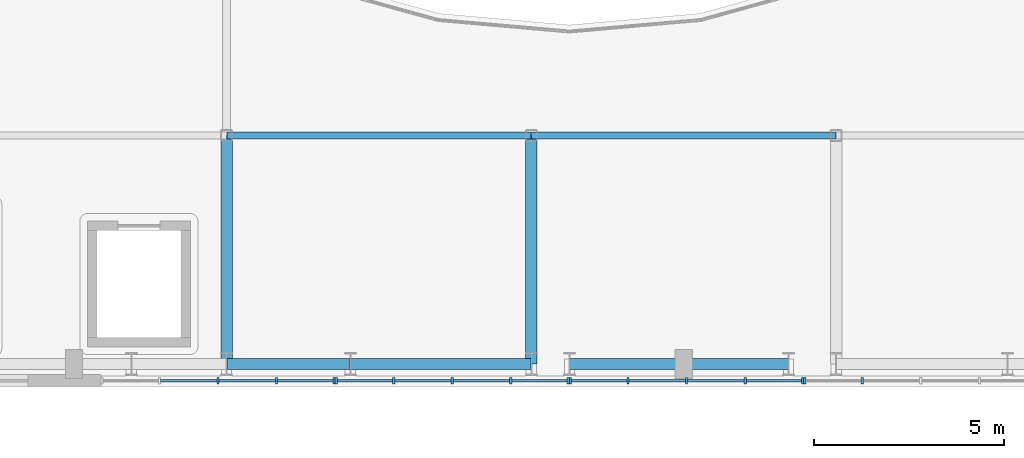
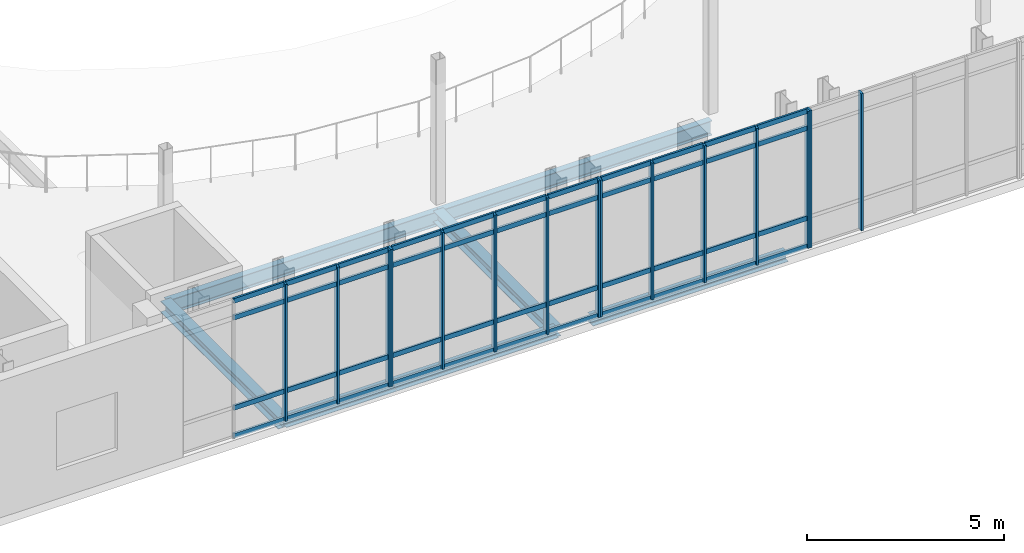
# One storey, part 25 of 100: 59 members, 7 beams, 4 elements without a shape of their own.
"""IFC4 building model written with IfcOpenShell, lengths in metres."""

from ifc_helpers import new_model, si_unit, direction, frame, origin, origin_2d, place, context, subcontext, project, spatial, rectangle, i_section, extrude, material, material_profile, profile_set, type_object, element, aggregate, save


model = new_model("IFC4")

# Units and contexts
model_context = context("Model", 3, precision=1e-05, world=origin(), true_north=direction((0.0, 1.0)))
body_context = subcontext(model_context, "Body", "Model", "MODEL_VIEW")
ifc_project = project(units=[si_unit("LENGTHUNIT", "METRE"), si_unit("AREAUNIT", "SQUARE_METRE"), si_unit("VOLUMEUNIT", "CUBIC_METRE"), si_unit("PLANEANGLEUNIT", "RADIAN"), si_unit("MASSUNIT", "GRAM", prefix="KILO")], contexts=[model_context])

# Site, building, storey
site_placement = place(None, origin())
site = spatial("IfcSite", under=ifc_project, at=site_placement, CompositionType="ELEMENT")
building_placement = place(site_placement, origin())
building = spatial("IfcBuilding", under=site, at=building_placement, Name="Cymarion Research Institute", CompositionType="ELEMENT")
storey_placement = place(building_placement, frame((0.0, 0.0, 4.800048828125)))
storey = spatial("IfcBuildingStorey", under=building, at=storey_placement, Name="L01", CompositionType="ELEMENT", Elevation=4.800048828125)

# Curtain wall, members
ifc_material_1 = material(Name="Anodised aluminium unitised curtain wall with Low-E glazing", Category="aluminium")
curtain_wall_type = type_object("IfcCurtainWallType", Name="UNITISED CURTAIN WALL CW07 6150X4250", PredefinedType="NOTDEFINED", material=ifc_material_1)
curtain_wall_1_placement = place(storey_placement, origin())
curtain_wall_1 = element("IfcCurtainWall", 1, at=curtain_wall_1_placement, inside=storey, type_object=curtain_wall_type, Name="L01 V2 unitised curtain wall CW07 #13", PredefinedType="NOTDEFINED")
ifc_material_2 = material(Name="Anodised aluminium framing", Category="aluminium")
ifc_material_profile_1 = material_profile(ifc_material_2, rectangle(XDim=0.06005859375, YDim=0.179931640625, at=origin_2d()), Name="ALU MULLION 60x180")
ifc_profile_set_1 = profile_set([ifc_material_profile_1], Name="Anodised aluminium framing")
member_type_1 = type_object("IfcMemberType", Name="CURTAIN WALL MULLION ML01 60X180", PredefinedType="MULLION", material=ifc_profile_set_1)
member_1_placement = place(storey_placement, frame((70.375732421875, 5.06005859375, 0.0), z_axis=(0.0, 0.0, 1.0), x_axis=(1.0, 0.0, 0.0)))
member_1 = element("IfcMember", 2, at=member_1_placement, type_object=member_type_1, Name="CW07 mullion 3", PredefinedType="MULLION", context=body_context, shape_type="SweptSolid", body=[
    extrude(rectangle(XDim=0.06005859375, YDim=0.179931640625, at=origin_2d()), origin(), (0.0, 0.0, 1.0), 4.25),
])
member_2_placement = place(storey_placement, frame((71.9130859375, 5.06005859375, 0.0), z_axis=(0.0, 0.0, 1.0), x_axis=(1.0, 0.0, 0.0)))
member_2 = element("IfcMember", 3, at=member_2_placement, type_object=member_type_1, Name="CW07 mullion 4", PredefinedType="MULLION", context=body_context, shape_type="SweptSolid", body=[
    extrude(rectangle(XDim=0.06005859375, YDim=0.179931640625, at=origin_2d()), origin(), (0.0, 0.0, 1.0), 4.25),
])
member_3_placement = place(storey_placement, frame((73.42041015625, 5.06005859375, 0.0), z_axis=(0.0, 0.0, 1.0), x_axis=(1.0, 0.0, 0.0)))
member_3 = element("IfcMember", 4, at=member_3_placement, type_object=member_type_1, Name="CW07 mullion 5", PredefinedType="MULLION", context=body_context, shape_type="SweptSolid", body=[
    extrude(rectangle(XDim=0.06005859375, YDim=0.179931640625, at=origin_2d()), origin(), (0.0, 0.0, 1.0), 4.25),
])

curtain_wall_2_placement = place(storey_placement, origin())
curtain_wall_2 = element("IfcCurtainWall", 5, at=curtain_wall_2_placement, inside=storey, type_object=curtain_wall_type, Name="L01 V2 unitised curtain wall CW07 #14", PredefinedType="NOTDEFINED")
member_4_placement = place(storey_placement, frame((73.48046875, 5.06005859375, 0.0), z_axis=(0.0, 0.0, 1.0), x_axis=(1.0, 0.0, 0.0)))
member_4 = element("IfcMember", 6, at=member_4_placement, type_object=member_type_1, Name="CW07 mullion 1", PredefinedType="MULLION", context=body_context, shape_type="SweptSolid", body=[
    extrude(rectangle(XDim=0.06005859375, YDim=0.179931640625, at=origin_2d()), origin(), (0.0, 0.0, 1.0), 4.25),
])
member_5_placement = place(storey_placement, frame((74.98779296875, 5.06005859375, 0.0), z_axis=(0.0, 0.0, 1.0), x_axis=(1.0, 0.0, 0.0)))
member_5 = element("IfcMember", 7, at=member_5_placement, type_object=member_type_1, Name="CW07 mullion 2", PredefinedType="MULLION", context=body_context, shape_type="SweptSolid", body=[
    extrude(rectangle(XDim=0.06005859375, YDim=0.179931640625, at=origin_2d()), origin(), (0.0, 0.0, 1.0), 4.25),
])
member_6_placement = place(storey_placement, frame((76.525146484375, 5.06005859375, 0.0), z_axis=(0.0, 0.0, 1.0), x_axis=(1.0, 0.0, 0.0)))
member_6 = element("IfcMember", 8, at=member_6_placement, type_object=member_type_1, Name="CW07 mullion 3", PredefinedType="MULLION", context=body_context, shape_type="SweptSolid", body=[
    extrude(rectangle(XDim=0.06005859375, YDim=0.179931640625, at=origin_2d()), origin(), (0.0, 0.0, 1.0), 4.25),
])
member_7_placement = place(storey_placement, frame((78.062744140625, 5.06005859375, 0.0), z_axis=(0.0, 0.0, 1.0), x_axis=(1.0, 0.0, 0.0)))
member_7 = element("IfcMember", 9, at=member_7_placement, type_object=member_type_1, Name="CW07 mullion 4", PredefinedType="MULLION", context=body_context, shape_type="SweptSolid", body=[
    extrude(rectangle(XDim=0.06005859375, YDim=0.179931640625, at=origin_2d()), origin(), (0.0, 0.0, 1.0), 4.25),
])
member_8_placement = place(storey_placement, frame((79.570068359375, 5.06005859375, 0.0), z_axis=(0.0, 0.0, 1.0), x_axis=(1.0, 0.0, 0.0)))
member_8 = element("IfcMember", 10, at=member_8_placement, type_object=member_type_1, Name="CW07 mullion 5", PredefinedType="MULLION", context=body_context, shape_type="SweptSolid", body=[
    extrude(rectangle(XDim=0.06005859375, YDim=0.179931640625, at=origin_2d()), origin(), (0.0, 0.0, 1.0), 4.25),
])

curtain_wall_3_placement = place(storey_placement, origin())
curtain_wall_3 = element("IfcCurtainWall", 11, at=curtain_wall_3_placement, inside=storey, type_object=curtain_wall_type, Name="L01 V2 unitised curtain wall CW07 #15", PredefinedType="NOTDEFINED")
member_9_placement = place(storey_placement, frame((79.6298828125, 5.06005859375, 0.0), z_axis=(0.0, 0.0, 1.0), x_axis=(1.0, 0.0, 0.0)))
member_9 = element("IfcMember", 12, at=member_9_placement, type_object=member_type_1, Name="CW07 mullion 1", PredefinedType="MULLION", context=body_context, shape_type="SweptSolid", body=[
    extrude(rectangle(XDim=0.06005859375, YDim=0.179931640625, at=origin_2d()), origin(), (0.0, 0.0, 1.0), 4.25),
])
member_10_placement = place(storey_placement, frame((81.137451171875, 5.06005859375, 0.0), z_axis=(0.0, 0.0, 1.0), x_axis=(1.0, 0.0, 0.0)))
member_10 = element("IfcMember", 13, at=member_10_placement, type_object=member_type_1, Name="CW07 mullion 2", PredefinedType="MULLION", context=body_context, shape_type="SweptSolid", body=[
    extrude(rectangle(XDim=0.06005859375, YDim=0.179931640625, at=origin_2d()), origin(), (0.0, 0.0, 1.0), 4.25),
])
member_11_placement = place(storey_placement, frame((82.6748046875, 5.06005859375, 0.0), z_axis=(0.0, 0.0, 1.0), x_axis=(1.0, 0.0, 0.0)))
member_11 = element("IfcMember", 14, at=member_11_placement, type_object=member_type_1, Name="CW07 mullion 3", PredefinedType="MULLION", context=body_context, shape_type="SweptSolid", body=[
    extrude(rectangle(XDim=0.06005859375, YDim=0.179931640625, at=origin_2d()), origin(), (0.0, 0.0, 1.0), 4.25),
])
member_12_placement = place(storey_placement, frame((84.212158203125, 5.06005859375, 0.0), z_axis=(0.0, 0.0, 1.0), x_axis=(1.0, 0.0, 0.0)))
member_12 = element("IfcMember", 15, at=member_12_placement, type_object=member_type_1, Name="CW07 mullion 4", PredefinedType="MULLION", context=body_context, shape_type="SweptSolid", body=[
    extrude(rectangle(XDim=0.06005859375, YDim=0.179931640625, at=origin_2d()), origin(), (0.0, 0.0, 1.0), 4.25),
])
member_13_placement = place(storey_placement, frame((85.719482421875, 5.06005859375, 0.0), z_axis=(0.0, 0.0, 1.0), x_axis=(1.0, 0.0, 0.0)))
member_13 = element("IfcMember", 16, at=member_13_placement, type_object=member_type_1, Name="CW07 mullion 5", PredefinedType="MULLION", context=body_context, shape_type="SweptSolid", body=[
    extrude(rectangle(XDim=0.06005859375, YDim=0.179931640625, at=origin_2d()), origin(), (0.0, 0.0, 1.0), 4.25),
])

curtain_wall_4_placement = place(storey_placement, origin())
curtain_wall_4 = element("IfcCurtainWall", 17, at=curtain_wall_4_placement, inside=storey, type_object=curtain_wall_type, Name="L01 V2 unitised curtain wall CW07 #16", PredefinedType="NOTDEFINED")
member_14_placement = place(storey_placement, frame((85.779541015625, 5.06005859375, 0.0), z_axis=(0.0, 0.0, 1.0), x_axis=(1.0, 0.0, 0.0)))
member_14 = element("IfcMember", 18, at=member_14_placement, type_object=member_type_1, Name="CW07 mullion 1", PredefinedType="MULLION", context=body_context, shape_type="SweptSolid", body=[
    extrude(rectangle(XDim=0.06005859375, YDim=0.179931640625, at=origin_2d()), origin(), (0.0, 0.0, 1.0), 4.25),
])
member_15_placement = place(storey_placement, frame((87.286865234375, 5.06005859375, 0.0), z_axis=(0.0, 0.0, 1.0), x_axis=(1.0, 0.0, 0.0)))
member_15 = element("IfcMember", 19, at=member_15_placement, type_object=member_type_1, Name="CW07 mullion 2", PredefinedType="MULLION", context=body_context, shape_type="SweptSolid", body=[
    extrude(rectangle(XDim=0.06005859375, YDim=0.179931640625, at=origin_2d()), origin(), (0.0, 0.0, 1.0), 4.25),
])
aggregate(curtain_wall_4, [member_14, member_15])

# Member
ifc_material_profile_2 = material_profile(ifc_material_2, rectangle(XDim=0.06005859375, YDim=0.14990234375, at=origin_2d()), Name="ALU TRANSOM 60x150")
ifc_profile_set_2 = profile_set([ifc_material_profile_2], Name="Anodised aluminium framing")
member_type_2 = type_object("IfcMemberType", Name="CURTAIN WALL TRANSOM TR01 60X150", PredefinedType="USERDEFINED", material=ifc_profile_set_2)
member_16_placement = place(storey_placement, frame((68.868408203125, 5.06005859375, 0.030029296875), z_axis=(1.0, 0.0, 0.0), x_axis=(0.0, 1.0, 0.0)))
member_16 = element("IfcMember", 20, at=member_16_placement, type_object=member_type_2, Name="CW07 transom 2.1", ObjectType="TRANSOM", PredefinedType="USERDEFINED", context=body_context, shape_type="SweptSolid", body=[
    extrude(rectangle(XDim=0.06005859375, YDim=0.14990234375, at=origin_2d()), origin(), (0.0, 0.0, 1.0), 1.477294921875),
])

member_17_placement = place(storey_placement, frame((68.868408203125, 5.06005859375, 0.89990234375), z_axis=(1.0, 0.0, 0.0), x_axis=(0.0, 1.0, 0.0)))
member_17 = element("IfcMember", 21, at=member_17_placement, type_object=member_type_2, Name="CW07 transom 2.2", ObjectType="TRANSOM", PredefinedType="USERDEFINED", context=body_context, shape_type="SweptSolid", body=[
    extrude(rectangle(XDim=0.06005859375, YDim=0.14990234375, at=origin_2d()), origin(), (0.0, 0.0, 1.0), 1.477294921875),
])

member_18_placement = place(storey_placement, frame((68.868408203125, 5.06005859375, 3.699951171875), z_axis=(1.0, 0.0, 0.0), x_axis=(0.0, 1.0, 0.0)))
member_18 = element("IfcMember", 22, at=member_18_placement, type_object=member_type_2, Name="CW07 transom 2.3", ObjectType="TRANSOM", PredefinedType="USERDEFINED", context=body_context, shape_type="SweptSolid", body=[
    extrude(rectangle(XDim=0.06005859375, YDim=0.14990234375, at=origin_2d()), origin(), (0.0, 0.0, 1.0), 1.477294921875),
])

member_19_placement = place(storey_placement, frame((68.868408203125, 5.06005859375, 4.219970703125), z_axis=(1.0, 0.0, 0.0), x_axis=(0.0, 1.0, 0.0)))
member_19 = element("IfcMember", 23, at=member_19_placement, type_object=member_type_2, Name="CW07 transom 2.4", ObjectType="TRANSOM", PredefinedType="USERDEFINED", context=body_context, shape_type="SweptSolid", body=[
    extrude(rectangle(XDim=0.06005859375, YDim=0.14990234375, at=origin_2d()), origin(), (0.0, 0.0, 1.0), 1.477294921875),
])

member_20_placement = place(storey_placement, frame((70.40576171875, 5.06005859375, 0.030029296875), z_axis=(1.0, 0.0, 0.0), x_axis=(0.0, 1.0, 0.0)))
member_20 = element("IfcMember", 24, at=member_20_placement, type_object=member_type_2, Name="CW07 transom 3.1", ObjectType="TRANSOM", PredefinedType="USERDEFINED", context=body_context, shape_type="SweptSolid", body=[
    extrude(rectangle(XDim=0.06005859375, YDim=0.14990234375, at=origin_2d()), origin(), (0.0, 0.0, 1.0), 1.477294921875),
])

member_21_placement = place(storey_placement, frame((70.40576171875, 5.06005859375, 0.89990234375), z_axis=(1.0, 0.0, 0.0), x_axis=(0.0, 1.0, 0.0)))
member_21 = element("IfcMember", 25, at=member_21_placement, type_object=member_type_2, Name="CW07 transom 3.2", ObjectType="TRANSOM", PredefinedType="USERDEFINED", context=body_context, shape_type="SweptSolid", body=[
    extrude(rectangle(XDim=0.06005859375, YDim=0.14990234375, at=origin_2d()), origin(), (0.0, 0.0, 1.0), 1.477294921875),
])

member_22_placement = place(storey_placement, frame((70.40576171875, 5.06005859375, 3.699951171875), z_axis=(1.0, 0.0, 0.0), x_axis=(0.0, 1.0, 0.0)))
member_22 = element("IfcMember", 26, at=member_22_placement, type_object=member_type_2, Name="CW07 transom 3.3", ObjectType="TRANSOM", PredefinedType="USERDEFINED", context=body_context, shape_type="SweptSolid", body=[
    extrude(rectangle(XDim=0.06005859375, YDim=0.14990234375, at=origin_2d()), origin(), (0.0, 0.0, 1.0), 1.477294921875),
])

member_23_placement = place(storey_placement, frame((70.40576171875, 5.06005859375, 4.219970703125), z_axis=(1.0, 0.0, 0.0), x_axis=(0.0, 1.0, 0.0)))
member_23 = element("IfcMember", 27, at=member_23_placement, type_object=member_type_2, Name="CW07 transom 3.4", ObjectType="TRANSOM", PredefinedType="USERDEFINED", context=body_context, shape_type="SweptSolid", body=[
    extrude(rectangle(XDim=0.06005859375, YDim=0.14990234375, at=origin_2d()), origin(), (0.0, 0.0, 1.0), 1.477294921875),
])

member_24_placement = place(storey_placement, frame((71.943115234375, 5.06005859375, 0.030029296875), z_axis=(1.0, 0.0, 0.0), x_axis=(0.0, 1.0, 0.0)))
member_24 = element("IfcMember", 28, at=member_24_placement, type_object=member_type_2, Name="CW07 transom 4.1", ObjectType="TRANSOM", PredefinedType="USERDEFINED", context=body_context, shape_type="SweptSolid", body=[
    extrude(rectangle(XDim=0.06005859375, YDim=0.14990234375, at=origin_2d()), origin(), (0.0, 0.0, 1.0), 1.447265625),
])

member_25_placement = place(storey_placement, frame((71.943115234375, 5.06005859375, 0.89990234375), z_axis=(1.0, 0.0, 0.0), x_axis=(0.0, 1.0, 0.0)))
member_25 = element("IfcMember", 29, at=member_25_placement, type_object=member_type_2, Name="CW07 transom 4.2", ObjectType="TRANSOM", PredefinedType="USERDEFINED", context=body_context, shape_type="SweptSolid", body=[
    extrude(rectangle(XDim=0.06005859375, YDim=0.14990234375, at=origin_2d()), origin(), (0.0, 0.0, 1.0), 1.447265625),
])

member_26_placement = place(storey_placement, frame((71.943115234375, 5.06005859375, 3.699951171875), z_axis=(1.0, 0.0, 0.0), x_axis=(0.0, 1.0, 0.0)))
member_26 = element("IfcMember", 30, at=member_26_placement, type_object=member_type_2, Name="CW07 transom 4.3", ObjectType="TRANSOM", PredefinedType="USERDEFINED", context=body_context, shape_type="SweptSolid", body=[
    extrude(rectangle(XDim=0.06005859375, YDim=0.14990234375, at=origin_2d()), origin(), (0.0, 0.0, 1.0), 1.447265625),
])

member_27_placement = place(storey_placement, frame((71.943115234375, 5.06005859375, 4.219970703125), z_axis=(1.0, 0.0, 0.0), x_axis=(0.0, 1.0, 0.0)))
member_27 = element("IfcMember", 31, at=member_27_placement, type_object=member_type_2, Name="CW07 transom 4.4", ObjectType="TRANSOM", PredefinedType="USERDEFINED", context=body_context, shape_type="SweptSolid", body=[
    extrude(rectangle(XDim=0.06005859375, YDim=0.14990234375, at=origin_2d()), origin(), (0.0, 0.0, 1.0), 1.447265625),
])

aggregate(curtain_wall_1, [member_1, member_2, member_3, member_16, member_17, member_18, member_19, member_20, member_21, member_22, member_23, member_24, member_25, member_26, member_27])

member_28_placement = place(storey_placement, frame((73.510498046875, 5.06005859375, 0.030029296875), z_axis=(1.0, 0.0, 0.0), x_axis=(0.0, 1.0, 0.0)))
member_28 = element("IfcMember", 32, at=member_28_placement, type_object=member_type_2, Name="CW07 transom 1.1", ObjectType="TRANSOM", PredefinedType="USERDEFINED", context=body_context, shape_type="SweptSolid", body=[
    extrude(rectangle(XDim=0.06005859375, YDim=0.14990234375, at=origin_2d()), origin(), (0.0, 0.0, 1.0), 1.447265625),
])

member_29_placement = place(storey_placement, frame((73.510498046875, 5.06005859375, 0.89990234375), z_axis=(1.0, 0.0, 0.0), x_axis=(0.0, 1.0, 0.0)))
member_29 = element("IfcMember", 33, at=member_29_placement, type_object=member_type_2, Name="CW07 transom 1.2", ObjectType="TRANSOM", PredefinedType="USERDEFINED", context=body_context, shape_type="SweptSolid", body=[
    extrude(rectangle(XDim=0.06005859375, YDim=0.14990234375, at=origin_2d()), origin(), (0.0, 0.0, 1.0), 1.447265625),
])

member_30_placement = place(storey_placement, frame((73.510498046875, 5.06005859375, 3.699951171875), z_axis=(1.0, 0.0, 0.0), x_axis=(0.0, 1.0, 0.0)))
member_30 = element("IfcMember", 34, at=member_30_placement, type_object=member_type_2, Name="CW07 transom 1.3", ObjectType="TRANSOM", PredefinedType="USERDEFINED", context=body_context, shape_type="SweptSolid", body=[
    extrude(rectangle(XDim=0.06005859375, YDim=0.14990234375, at=origin_2d()), origin(), (0.0, 0.0, 1.0), 1.447265625),
])

member_31_placement = place(storey_placement, frame((73.510498046875, 5.06005859375, 4.219970703125), z_axis=(1.0, 0.0, 0.0), x_axis=(0.0, 1.0, 0.0)))
member_31 = element("IfcMember", 35, at=member_31_placement, type_object=member_type_2, Name="CW07 transom 1.4", ObjectType="TRANSOM", PredefinedType="USERDEFINED", context=body_context, shape_type="SweptSolid", body=[
    extrude(rectangle(XDim=0.06005859375, YDim=0.14990234375, at=origin_2d()), origin(), (0.0, 0.0, 1.0), 1.447265625),
])

member_32_placement = place(storey_placement, frame((75.017822265625, 5.06005859375, 0.030029296875), z_axis=(1.0, 0.0, 0.0), x_axis=(0.0, 1.0, 0.0)))
member_32 = element("IfcMember", 36, at=member_32_placement, type_object=member_type_2, Name="CW07 transom 2.1", ObjectType="TRANSOM", PredefinedType="USERDEFINED", context=body_context, shape_type="SweptSolid", body=[
    extrude(rectangle(XDim=0.06005859375, YDim=0.14990234375, at=origin_2d()), origin(), (0.0, 0.0, 1.0), 1.4775390625),
])

member_33_placement = place(storey_placement, frame((75.017822265625, 5.06005859375, 0.89990234375), z_axis=(1.0, 0.0, 0.0), x_axis=(0.0, 1.0, 0.0)))
member_33 = element("IfcMember", 37, at=member_33_placement, type_object=member_type_2, Name="CW07 transom 2.2", ObjectType="TRANSOM", PredefinedType="USERDEFINED", context=body_context, shape_type="SweptSolid", body=[
    extrude(rectangle(XDim=0.06005859375, YDim=0.14990234375, at=origin_2d()), origin(), (0.0, 0.0, 1.0), 1.4775390625),
])

member_34_placement = place(storey_placement, frame((75.017822265625, 5.06005859375, 3.699951171875), z_axis=(1.0, 0.0, 0.0), x_axis=(0.0, 1.0, 0.0)))
member_34 = element("IfcMember", 38, at=member_34_placement, type_object=member_type_2, Name="CW07 transom 2.3", ObjectType="TRANSOM", PredefinedType="USERDEFINED", context=body_context, shape_type="SweptSolid", body=[
    extrude(rectangle(XDim=0.06005859375, YDim=0.14990234375, at=origin_2d()), origin(), (0.0, 0.0, 1.0), 1.4775390625),
])

member_35_placement = place(storey_placement, frame((75.017822265625, 5.06005859375, 4.219970703125), z_axis=(1.0, 0.0, 0.0), x_axis=(0.0, 1.0, 0.0)))
member_35 = element("IfcMember", 39, at=member_35_placement, type_object=member_type_2, Name="CW07 transom 2.4", ObjectType="TRANSOM", PredefinedType="USERDEFINED", context=body_context, shape_type="SweptSolid", body=[
    extrude(rectangle(XDim=0.06005859375, YDim=0.14990234375, at=origin_2d()), origin(), (0.0, 0.0, 1.0), 1.4775390625),
])

member_36_placement = place(storey_placement, frame((76.55517578125, 5.06005859375, 0.030029296875), z_axis=(1.0, 0.0, 0.0), x_axis=(0.0, 1.0, 0.0)))
member_36 = element("IfcMember", 40, at=member_36_placement, type_object=member_type_2, Name="CW07 transom 3.1", ObjectType="TRANSOM", PredefinedType="USERDEFINED", context=body_context, shape_type="SweptSolid", body=[
    extrude(rectangle(XDim=0.06005859375, YDim=0.14990234375, at=origin_2d()), origin(), (0.0, 0.0, 1.0), 1.4775390625),
])

member_37_placement = place(storey_placement, frame((76.55517578125, 5.06005859375, 0.89990234375), z_axis=(1.0, 0.0, 0.0), x_axis=(0.0, 1.0, 0.0)))
member_37 = element("IfcMember", 41, at=member_37_placement, type_object=member_type_2, Name="CW07 transom 3.2", ObjectType="TRANSOM", PredefinedType="USERDEFINED", context=body_context, shape_type="SweptSolid", body=[
    extrude(rectangle(XDim=0.06005859375, YDim=0.14990234375, at=origin_2d()), origin(), (0.0, 0.0, 1.0), 1.4775390625),
])

member_38_placement = place(storey_placement, frame((76.55517578125, 5.06005859375, 3.699951171875), z_axis=(1.0, 0.0, 0.0), x_axis=(0.0, 1.0, 0.0)))
member_38 = element("IfcMember", 42, at=member_38_placement, type_object=member_type_2, Name="CW07 transom 3.3", ObjectType="TRANSOM", PredefinedType="USERDEFINED", context=body_context, shape_type="SweptSolid", body=[
    extrude(rectangle(XDim=0.06005859375, YDim=0.14990234375, at=origin_2d()), origin(), (0.0, 0.0, 1.0), 1.4775390625),
])

member_39_placement = place(storey_placement, frame((76.55517578125, 5.06005859375, 4.219970703125), z_axis=(1.0, 0.0, 0.0), x_axis=(0.0, 1.0, 0.0)))
member_39 = element("IfcMember", 43, at=member_39_placement, type_object=member_type_2, Name="CW07 transom 3.4", ObjectType="TRANSOM", PredefinedType="USERDEFINED", context=body_context, shape_type="SweptSolid", body=[
    extrude(rectangle(XDim=0.06005859375, YDim=0.14990234375, at=origin_2d()), origin(), (0.0, 0.0, 1.0), 1.4775390625),
])

member_40_placement = place(storey_placement, frame((78.092529296875, 5.06005859375, 0.030029296875), z_axis=(1.0, 0.0, 0.0), x_axis=(0.0, 1.0, 0.0)))
member_40 = element("IfcMember", 44, at=member_40_placement, type_object=member_type_2, Name="CW07 transom 4.1", ObjectType="TRANSOM", PredefinedType="USERDEFINED", context=body_context, shape_type="SweptSolid", body=[
    extrude(rectangle(XDim=0.06005859375, YDim=0.14990234375, at=origin_2d()), origin(), (0.0, 0.0, 1.0), 1.447509765625),
])

member_41_placement = place(storey_placement, frame((78.092529296875, 5.06005859375, 0.89990234375), z_axis=(1.0, 0.0, 0.0), x_axis=(0.0, 1.0, 0.0)))
member_41 = element("IfcMember", 45, at=member_41_placement, type_object=member_type_2, Name="CW07 transom 4.2", ObjectType="TRANSOM", PredefinedType="USERDEFINED", context=body_context, shape_type="SweptSolid", body=[
    extrude(rectangle(XDim=0.06005859375, YDim=0.14990234375, at=origin_2d()), origin(), (0.0, 0.0, 1.0), 1.447509765625),
])

member_42_placement = place(storey_placement, frame((78.092529296875, 5.06005859375, 3.699951171875), z_axis=(1.0, 0.0, 0.0), x_axis=(0.0, 1.0, 0.0)))
member_42 = element("IfcMember", 46, at=member_42_placement, type_object=member_type_2, Name="CW07 transom 4.3", ObjectType="TRANSOM", PredefinedType="USERDEFINED", context=body_context, shape_type="SweptSolid", body=[
    extrude(rectangle(XDim=0.06005859375, YDim=0.14990234375, at=origin_2d()), origin(), (0.0, 0.0, 1.0), 1.447509765625),
])

member_43_placement = place(storey_placement, frame((78.092529296875, 5.06005859375, 4.219970703125), z_axis=(1.0, 0.0, 0.0), x_axis=(0.0, 1.0, 0.0)))
member_43 = element("IfcMember", 47, at=member_43_placement, type_object=member_type_2, Name="CW07 transom 4.4", ObjectType="TRANSOM", PredefinedType="USERDEFINED", context=body_context, shape_type="SweptSolid", body=[
    extrude(rectangle(XDim=0.06005859375, YDim=0.14990234375, at=origin_2d()), origin(), (0.0, 0.0, 1.0), 1.447509765625),
])

aggregate(curtain_wall_2, [member_4, member_5, member_6, member_7, member_8, member_28, member_29, member_30, member_31, member_32, member_33, member_34, member_35, member_36, member_37, member_38, member_39, member_40, member_41, member_42, member_43])

member_44_placement = place(storey_placement, frame((79.659912109375, 5.06005859375, 0.030029296875), z_axis=(1.0, 0.0, 0.0), x_axis=(0.0, 1.0, 0.0)))
member_44 = element("IfcMember", 48, at=member_44_placement, type_object=member_type_2, Name="CW07 transom 1.1", ObjectType="TRANSOM", PredefinedType="USERDEFINED", context=body_context, shape_type="SweptSolid", body=[
    extrude(rectangle(XDim=0.06005859375, YDim=0.14990234375, at=origin_2d()), origin(), (0.0, 0.0, 1.0), 1.447509765625),
])

member_45_placement = place(storey_placement, frame((79.659912109375, 5.06005859375, 0.89990234375), z_axis=(1.0, 0.0, 0.0), x_axis=(0.0, 1.0, 0.0)))
member_45 = element("IfcMember", 49, at=member_45_placement, type_object=member_type_2, Name="CW07 transom 1.2", ObjectType="TRANSOM", PredefinedType="USERDEFINED", context=body_context, shape_type="SweptSolid", body=[
    extrude(rectangle(XDim=0.06005859375, YDim=0.14990234375, at=origin_2d()), origin(), (0.0, 0.0, 1.0), 1.447509765625),
])

member_46_placement = place(storey_placement, frame((79.659912109375, 5.06005859375, 3.699951171875), z_axis=(1.0, 0.0, 0.0), x_axis=(0.0, 1.0, 0.0)))
member_46 = element("IfcMember", 50, at=member_46_placement, type_object=member_type_2, Name="CW07 transom 1.3", ObjectType="TRANSOM", PredefinedType="USERDEFINED", context=body_context, shape_type="SweptSolid", body=[
    extrude(rectangle(XDim=0.06005859375, YDim=0.14990234375, at=origin_2d()), origin(), (0.0, 0.0, 1.0), 1.447509765625),
])

member_47_placement = place(storey_placement, frame((79.659912109375, 5.06005859375, 4.219970703125), z_axis=(1.0, 0.0, 0.0), x_axis=(0.0, 1.0, 0.0)))
member_47 = element("IfcMember", 51, at=member_47_placement, type_object=member_type_2, Name="CW07 transom 1.4", ObjectType="TRANSOM", PredefinedType="USERDEFINED", context=body_context, shape_type="SweptSolid", body=[
    extrude(rectangle(XDim=0.06005859375, YDim=0.14990234375, at=origin_2d()), origin(), (0.0, 0.0, 1.0), 1.447509765625),
])

member_48_placement = place(storey_placement, frame((81.16748046875, 5.06005859375, 0.030029296875), z_axis=(1.0, 0.0, 0.0), x_axis=(0.0, 1.0, 0.0)))
member_48 = element("IfcMember", 52, at=member_48_placement, type_object=member_type_2, Name="CW07 transom 2.1", ObjectType="TRANSOM", PredefinedType="USERDEFINED", context=body_context, shape_type="SweptSolid", body=[
    extrude(rectangle(XDim=0.06005859375, YDim=0.14990234375, at=origin_2d()), origin(), (0.0, 0.0, 1.0), 1.477294921875),
])

member_49_placement = place(storey_placement, frame((81.16748046875, 5.06005859375, 0.89990234375), z_axis=(1.0, 0.0, 0.0), x_axis=(0.0, 1.0, 0.0)))
member_49 = element("IfcMember", 53, at=member_49_placement, type_object=member_type_2, Name="CW07 transom 2.2", ObjectType="TRANSOM", PredefinedType="USERDEFINED", context=body_context, shape_type="SweptSolid", body=[
    extrude(rectangle(XDim=0.06005859375, YDim=0.14990234375, at=origin_2d()), origin(), (0.0, 0.0, 1.0), 1.477294921875),
])

member_50_placement = place(storey_placement, frame((81.16748046875, 5.06005859375, 3.699951171875), z_axis=(1.0, 0.0, 0.0), x_axis=(0.0, 1.0, 0.0)))
member_50 = element("IfcMember", 54, at=member_50_placement, type_object=member_type_2, Name="CW07 transom 2.3", ObjectType="TRANSOM", PredefinedType="USERDEFINED", context=body_context, shape_type="SweptSolid", body=[
    extrude(rectangle(XDim=0.06005859375, YDim=0.14990234375, at=origin_2d()), origin(), (0.0, 0.0, 1.0), 1.477294921875),
])

member_51_placement = place(storey_placement, frame((81.16748046875, 5.06005859375, 4.219970703125), z_axis=(1.0, 0.0, 0.0), x_axis=(0.0, 1.0, 0.0)))
member_51 = element("IfcMember", 55, at=member_51_placement, type_object=member_type_2, Name="CW07 transom 2.4", ObjectType="TRANSOM", PredefinedType="USERDEFINED", context=body_context, shape_type="SweptSolid", body=[
    extrude(rectangle(XDim=0.06005859375, YDim=0.14990234375, at=origin_2d()), origin(), (0.0, 0.0, 1.0), 1.477294921875),
])

member_52_placement = place(storey_placement, frame((82.704833984375, 5.06005859375, 0.030029296875), z_axis=(1.0, 0.0, 0.0), x_axis=(0.0, 1.0, 0.0)))
member_52 = element("IfcMember", 56, at=member_52_placement, type_object=member_type_2, Name="CW07 transom 3.1", ObjectType="TRANSOM", PredefinedType="USERDEFINED", context=body_context, shape_type="SweptSolid", body=[
    extrude(rectangle(XDim=0.06005859375, YDim=0.14990234375, at=origin_2d()), origin(), (0.0, 0.0, 1.0), 1.477294921875),
])

member_53_placement = place(storey_placement, frame((82.704833984375, 5.06005859375, 0.89990234375), z_axis=(1.0, 0.0, 0.0), x_axis=(0.0, 1.0, 0.0)))
member_53 = element("IfcMember", 57, at=member_53_placement, type_object=member_type_2, Name="CW07 transom 3.2", ObjectType="TRANSOM", PredefinedType="USERDEFINED", context=body_context, shape_type="SweptSolid", body=[
    extrude(rectangle(XDim=0.06005859375, YDim=0.14990234375, at=origin_2d()), origin(), (0.0, 0.0, 1.0), 1.477294921875),
])

member_54_placement = place(storey_placement, frame((82.704833984375, 5.06005859375, 3.699951171875), z_axis=(1.0, 0.0, 0.0), x_axis=(0.0, 1.0, 0.0)))
member_54 = element("IfcMember", 58, at=member_54_placement, type_object=member_type_2, Name="CW07 transom 3.3", ObjectType="TRANSOM", PredefinedType="USERDEFINED", context=body_context, shape_type="SweptSolid", body=[
    extrude(rectangle(XDim=0.06005859375, YDim=0.14990234375, at=origin_2d()), origin(), (0.0, 0.0, 1.0), 1.477294921875),
])

member_55_placement = place(storey_placement, frame((82.704833984375, 5.06005859375, 4.219970703125), z_axis=(1.0, 0.0, 0.0), x_axis=(0.0, 1.0, 0.0)))
member_55 = element("IfcMember", 59, at=member_55_placement, type_object=member_type_2, Name="CW07 transom 3.4", ObjectType="TRANSOM", PredefinedType="USERDEFINED", context=body_context, shape_type="SweptSolid", body=[
    extrude(rectangle(XDim=0.06005859375, YDim=0.14990234375, at=origin_2d()), origin(), (0.0, 0.0, 1.0), 1.477294921875),
])

member_56_placement = place(storey_placement, frame((84.2421875, 5.06005859375, 0.030029296875), z_axis=(1.0, 0.0, 0.0), x_axis=(0.0, 1.0, 0.0)))
member_56 = element("IfcMember", 60, at=member_56_placement, type_object=member_type_2, Name="CW07 transom 4.1", ObjectType="TRANSOM", PredefinedType="USERDEFINED", context=body_context, shape_type="SweptSolid", body=[
    extrude(rectangle(XDim=0.06005859375, YDim=0.14990234375, at=origin_2d()), origin(), (0.0, 0.0, 1.0), 1.447265625),
])

member_57_placement = place(storey_placement, frame((84.2421875, 5.06005859375, 0.89990234375), z_axis=(1.0, 0.0, 0.0), x_axis=(0.0, 1.0, 0.0)))
member_57 = element("IfcMember", 61, at=member_57_placement, type_object=member_type_2, Name="CW07 transom 4.2", ObjectType="TRANSOM", PredefinedType="USERDEFINED", context=body_context, shape_type="SweptSolid", body=[
    extrude(rectangle(XDim=0.06005859375, YDim=0.14990234375, at=origin_2d()), origin(), (0.0, 0.0, 1.0), 1.447265625),
])

member_58_placement = place(storey_placement, frame((84.2421875, 5.06005859375, 3.699951171875), z_axis=(1.0, 0.0, 0.0), x_axis=(0.0, 1.0, 0.0)))
member_58 = element("IfcMember", 62, at=member_58_placement, type_object=member_type_2, Name="CW07 transom 4.3", ObjectType="TRANSOM", PredefinedType="USERDEFINED", context=body_context, shape_type="SweptSolid", body=[
    extrude(rectangle(XDim=0.06005859375, YDim=0.14990234375, at=origin_2d()), origin(), (0.0, 0.0, 1.0), 1.447265625),
])

member_59_placement = place(storey_placement, frame((84.2421875, 5.06005859375, 4.219970703125), z_axis=(1.0, 0.0, 0.0), x_axis=(0.0, 1.0, 0.0)))
member_59 = element("IfcMember", 63, at=member_59_placement, type_object=member_type_2, Name="CW07 transom 4.4", ObjectType="TRANSOM", PredefinedType="USERDEFINED", context=body_context, shape_type="SweptSolid", body=[
    extrude(rectangle(XDim=0.06005859375, YDim=0.14990234375, at=origin_2d()), origin(), (0.0, 0.0, 1.0), 1.447265625),
])

aggregate(curtain_wall_3, [member_9, member_10, member_11, member_12, member_13, member_44, member_45, member_46, member_47, member_48, member_49, member_50, member_51, member_52, member_53, member_54, member_55, member_56, member_57, member_58, member_59])

# Beams
ifc_material_3 = material(Name="Steel S355", Category="steel")
ifc_material_profile_3 = material_profile(ifc_material_3, i_section(OverallWidth=0.18994140625, OverallDepth=0.449951171875, WebThickness=0.009521484375, FlangeThickness=0.0146484375, FilletRadius=0.02099609375, at=origin_2d()), Name="IPE 450")
ifc_profile_set_3 = profile_set([ifc_material_profile_3], Name="Steel S355")
beam_type_1 = type_object("IfcBeamType", Name="PRIMARY GIRDER BM04 IPE 450", PredefinedType="BEAM", material=ifc_profile_set_3)
for number, where, z_axis, x_axis, name in (
    (64, (70.60595703125, 11.5, -0.47509765625), (1.0, 0.0, 0.0), (0.0, 1.0, 0.0), "L01 V2 girder BM04 #470"),
    (65, (78.60595703125, 11.5, -0.47509765625), (1.0, 0.0, 0.0), (0.0, 1.0, 0.0), "L01 V2 girder BM04 #471"),
):
    element("IfcBeam", number, at=place(storey_placement, frame(where, z_axis=z_axis, x_axis=x_axis)), inside=storey, type_object=beam_type_1, Name=name, PredefinedType="BEAM", context=body_context, shape_type="SweptSolid", body=[
        extrude(i_section(OverallWidth=0.18994140625, OverallDepth=0.449951171875, WebThickness=0.009521484375, FlangeThickness=0.0146484375, FilletRadius=0.02099609375, at=origin_2d()), origin(), (0.0, 0.0, 1.0), 7.988037109375),
    ])
ifc_material_profile_4 = material_profile(ifc_material_3, i_section(OverallWidth=0.300048828125, OverallDepth=0.35009765625, WebThickness=0.010009765625, FlangeThickness=0.017578125, FilletRadius=0.027099609375, at=origin_2d()), Name="HEA 360")
ifc_profile_set_4 = profile_set([ifc_material_profile_4], Name="Steel S355")
beam_type_2 = type_object("IfcBeamType", Name="PRIMARY GIRDER BM12 HEA 360", PredefinedType="BEAM", material=ifc_profile_set_4)
for number, where, z_axis, x_axis, name in (
    (66, (70.60009765625, 5.506103515625, -0.425048828125), (0.0, 1.0, 0.0), (-1.0, 0.0, 0.0), "L01 V2 girder BM12 #507"),
    (67, (78.60009765625, 5.506103515625, -0.425048828125), (0.0, 1.0, 0.0), (-1.0, 0.0, 0.0), "L01 V2 girder BM12 #510"),
):
    element("IfcBeam", number, at=place(storey_placement, frame(where, z_axis=z_axis, x_axis=x_axis)), inside=storey, type_object=beam_type_2, Name=name, PredefinedType="BEAM", context=body_context, shape_type="SweptSolid", body=[
        extrude(i_section(OverallWidth=0.300048828125, OverallDepth=0.35009765625, WebThickness=0.010009765625, FlangeThickness=0.017578125, FilletRadius=0.027099609375, at=origin_2d()), origin(), (0.0, 0.0, 1.0), 5.98779296875),
    ])
ifc_material_profile_5 = material_profile(ifc_material_3, i_section(OverallWidth=0.280029296875, OverallDepth=0.27001953125, WebThickness=0.008056640625, FlangeThickness=0.012939453125, FilletRadius=0.02392578125, at=origin_2d()), Name="HEA 280")
ifc_profile_set_5 = profile_set([ifc_material_profile_5], Name="Steel S355")
beam_type_3 = type_object("IfcBeamType", Name="SPANDREL BEAM SPB02 HEA 280", PredefinedType="SPANDREL", material=ifc_profile_set_5)
beam_1_placement = place(storey_placement, frame((70.60595703125, 5.5, -0.385009765625), z_axis=(1.0, 0.0, 0.0), x_axis=(0.0, 1.0, 0.0)))
element("IfcBeam", 68, at=beam_1_placement, inside=storey, type_object=beam_type_3, Name="L01 V2 girder SPB02 #461", PredefinedType="SPANDREL", context=body_context, shape_type="SweptSolid", body=[
    extrude(i_section(OverallWidth=0.280029296875, OverallDepth=0.27001953125, WebThickness=0.008056640625, FlangeThickness=0.012939453125, FilletRadius=0.02392578125, at=origin_2d()), origin(), (0.0, 0.0, 1.0), 3.238037109375),
])
beam_2_placement = place(storey_placement, frame((73.85595703125, 5.5, -0.385009765625), z_axis=(1.0, 0.0, 0.0), x_axis=(0.0, 1.0, 0.0)))
element("IfcBeam", 69, at=beam_2_placement, inside=storey, type_object=beam_type_3, Name="L01 V2 girder SPB02 #462", PredefinedType="SPANDREL", context=body_context, shape_type="SweptSolid", body=[
    extrude(i_section(OverallWidth=0.280029296875, OverallDepth=0.27001953125, WebThickness=0.008056640625, FlangeThickness=0.012939453125, FilletRadius=0.02392578125, at=origin_2d()), origin(), (0.0, 0.0, 1.0), 4.738037109375),
])
beam_3_placement = place(storey_placement, frame((79.60595703125, 5.5, -0.385009765625), z_axis=(1.0, 0.0, 0.0), x_axis=(0.0, 1.0, 0.0)))
element("IfcBeam", 70, at=beam_3_placement, inside=storey, type_object=beam_type_3, Name="L01 V2 girder SPB02 #463", PredefinedType="SPANDREL", context=body_context, shape_type="SweptSolid", body=[
    extrude(i_section(OverallWidth=0.280029296875, OverallDepth=0.27001953125, WebThickness=0.008056640625, FlangeThickness=0.012939453125, FilletRadius=0.02392578125, at=origin_2d()), origin(), (0.0, 0.0, 1.0), 5.738037109375),
])

save(model, "model.ifc")
